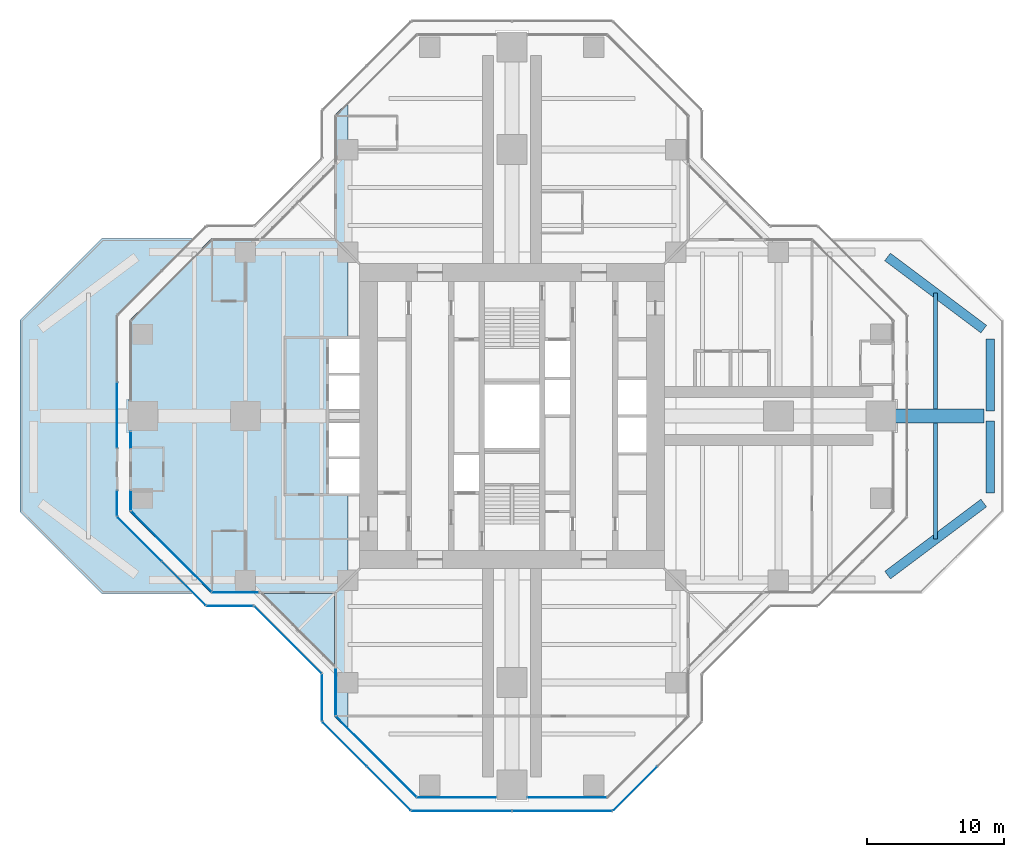
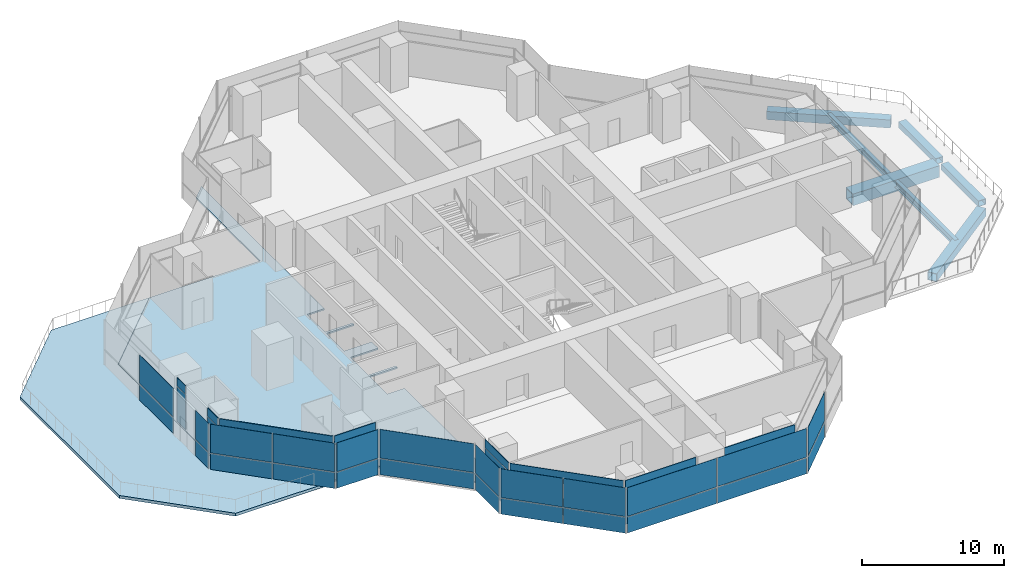
# One storey, part 11 of 19: 40 plates, 7 beams, 3 slabs, 17 elements without a shape of their own.
"""IFC4 building model written with IfcOpenShell, lengths in metres."""

from ifc_helpers import new_model, si_unit, direction, frame, origin, origin_2d, place, context, subcontext, project, spatial, polyline, rectangle, hollow_rectangle, i_section, outline, extrude, material, layer, layer_set, material_profile, profile_set, type_object, element, aggregate, save


model = new_model("IFC4")

# Units and contexts
model_context = context("Model", 3, precision=1e-05, world=origin(), true_north=direction((0.0, 1.0)))
body_context = subcontext(model_context, "Body", "Model", "MODEL_VIEW")
ifc_project = project(units=[si_unit("LENGTHUNIT", "METRE"), si_unit("AREAUNIT", "SQUARE_METRE"), si_unit("VOLUMEUNIT", "CUBIC_METRE"), si_unit("PLANEANGLEUNIT", "RADIAN"), si_unit("MASSUNIT", "GRAM", prefix="KILO")], contexts=[model_context])

# Site, building, storey
site_placement = place(None, origin())
site = spatial("IfcSite", under=ifc_project, at=site_placement, CompositionType="ELEMENT")
building_placement = place(site_placement, origin())
building = spatial("IfcBuilding", under=site, at=building_placement, Name="Mizan Broadcast Tower", CompositionType="ELEMENT")
storey_placement = place(building_placement, frame((0.0, 0.0, 204.89990234375)))
storey = spatial("IfcBuildingStorey", under=building, at=storey_placement, Name="L47", CompositionType="ELEMENT", Elevation=204.89990234375)

# Beams
ifc_material_1 = material(Name="Steel S355", Category="steel")
ifc_material_profile_1 = material_profile(ifc_material_1, hollow_rectangle(XDim=0.60009765625, YDim=0.5, WallThickness=0.030029296875, at=origin_2d()), Name="BOX 500x600x30")
ifc_profile_set_1 = profile_set([ifc_material_profile_1], Name="Steel S355")
beam_type_1 = type_object("IfcBeamType", Name="EDGE BEAM BOX 500x600x30", PredefinedType="SPANDREL", material=ifc_profile_set_1)
for number, where, z_axis, x_axis, name in (
    (1, (35.0, -5.639892578125, -0.5), (0.0, 1.0, 0.0), (-1.0, 0.0, 0.0), "Edge beam BOX 500x600x30 L47 east arm"),
    (2, (35.0, 5.639892578125, -0.5), (0.0, -1.0, 0.0), (1.0, 0.0, 0.0), "Edge beam BOX 500x600x30 L47 east arm"),
):
    element("IfcBeam", number, at=place(storey_placement, frame(where, z_axis=z_axis, x_axis=x_axis)), inside=storey, type_object=beam_type_1, Name=name, PredefinedType="SPANDREL", context=body_context, shape_type="SweptSolid", body=[
        extrude(hollow_rectangle(XDim=0.60009765625, YDim=0.5, WallThickness=0.030029296875, at=origin_2d()), origin(), (0.0, 0.0, 1.0), 5.27978515625),
    ])
ifc_material_2 = material(Name="Steel S355", Category="steel")
ifc_material_profile_2 = material_profile(ifc_material_2, hollow_rectangle(XDim=0.699951171875, YDim=0.699951171875, WallThickness=0.0400390625, at=origin_2d()), Name="BOX 700x700x40")
ifc_profile_set_2 = profile_set([ifc_material_profile_2], Name="Steel S355")
beam_type_2 = type_object("IfcBeamType", Name="EDGE BEAM BOX 700x700x40", PredefinedType="SPANDREL", material=ifc_profile_set_2)
for number, where, z_axis, x_axis, name in (
    (3, (27.47998046875, -11.639892578125, -0.599853515625), (0.800013316712, 0.599982243973, 0.0), (-0.599982243973, 0.800013316712, 0.0), "Edge beam BOX 700x700x40 L47 east arm"),
    (4, (27.47998046875, 11.639892578125, -0.599853515625), (0.800013316712, -0.599982243973, 0.0), (0.599982243973, 0.800013316712, 0.0), "Edge beam BOX 700x700x40 L47 east arm"),
):
    element("IfcBeam", number, at=place(storey_placement, frame(where, z_axis=z_axis, x_axis=x_axis)), inside=storey, type_object=beam_type_2, Name=name, PredefinedType="SPANDREL", context=body_context, shape_type="SweptSolid", body=[
        extrude(hollow_rectangle(XDim=0.699951171875, YDim=0.699951171875, WallThickness=0.0400390625, at=origin_2d()), origin(), (0.0, 0.0, 1.0), 8.7998046875),
    ])
ifc_material_3 = material(Name="Steel S460", Category="steel")
ifc_material_profile_3 = material_profile(ifc_material_3, hollow_rectangle(XDim=1.0, YDim=1.0, WallThickness=0.080078125, at=origin_2d()), Name="BOX 1000x1000x80")
ifc_profile_set_3 = profile_set([ifc_material_profile_3], Name="Steel S460")
beam_type_3 = type_object("IfcBeamType", Name="GIRDER BOX 1000x1000x80", PredefinedType="BEAM", material=ifc_profile_set_3)
beam_placement = place(storey_placement, frame((27.47998046875, 0.0, -0.75), z_axis=(1.0, 0.0, 0.0), x_axis=(0.0, 1.0, 0.0)))
element("IfcBeam", 5, at=beam_placement, inside=storey, type_object=beam_type_3, Name="Girder BOX 1000x1000x80 L47 east arm", PredefinedType="BEAM", context=body_context, shape_type="SweptSolid", body=[
    extrude(hollow_rectangle(XDim=1.0, YDim=1.0, WallThickness=0.080078125, at=origin_2d()), origin(), (0.0, 0.0, 1.0), 7.0400390625),
])
ifc_material_4 = material(Name="Steel S355", Category="steel")
ifc_material_profile_4 = material_profile(ifc_material_4, i_section(OverallWidth=0.300048828125, OverallDepth=0.590087890625, WebThickness=0.012939453125, FlangeThickness=0.02490234375, FilletRadius=0.027099609375, at=origin_2d()), Name="HEA 600")
ifc_profile_set_4 = profile_set([ifc_material_profile_4], Name="Steel S355")
beam_type_4 = type_object("IfcBeamType", Name="SECONDARY BEAM HEA 600", PredefinedType="JOIST", material=ifc_profile_set_4)
for number, where, z_axis, x_axis, name in (
    (6, (31.0, -9.0, -0.544921875), (0.0, 1.0, 0.0), (-1.0, 0.0, 0.0), "Secondary beam HEA 600 L47 east arm"),
    (7, (31.0, 9.0, -0.544921875), (0.0, -1.0, 0.0), (1.0, 0.0, 0.0), "Secondary beam HEA 600 L47 east arm"),
):
    element("IfcBeam", number, at=place(storey_placement, frame(where, z_axis=z_axis, x_axis=x_axis)), inside=storey, type_object=beam_type_4, Name=name, PredefinedType="JOIST", context=body_context, shape_type="SweptSolid", body=[
        extrude(i_section(OverallWidth=0.300048828125, OverallDepth=0.590087890625, WebThickness=0.012939453125, FlangeThickness=0.02490234375, FilletRadius=0.027099609375, at=origin_2d()), origin(), (0.0, 0.0, 1.0), 8.5),
    ])

# Slab
ifc_material_5 = material(Name="Concrete C32/40", Category="concrete")
ifc_layer_1 = layer(ifc_material_5, 0.1298828125)
ifc_layer_set_1 = layer_set([ifc_layer_1], Name="Concrete C32/40")
slab_type_1 = type_object("IfcSlabType", Name="COMPOSITE DECK SLAB 130", PredefinedType="FLOOR", material=ifc_layer_set_1)
slab_1_placement = place(storey_placement, frame((0.0, 0.0, -0.1298828125)))
element("IfcSlab", 8, at=slab_1_placement, inside=storey, type_object=slab_type_1, Name="Floor slab L47 west arm", PredefinedType="FLOOR", context=body_context, shape_type="SweptSolid", body=[
    extrude(outline(polyline([(-22.0, 13.0), (-28.0, 7.0), (-28.0, -7.0), (-22.0, -13.0), (-13.0, -13.0), (-13.0, -22.0), (-12.0, -23.0), (-12.0, -5.64990234375), (-13.39990234375, -5.64990234375), (-13.39990234375, -3.14990234375), (-11.14990234375, -3.14990234375), (-11.14990234375, -2.949951171875), (-13.39990234375, -2.949951171875), (-13.39990234375, -0.449951171875), (-11.14990234375, -0.449951171875), (-11.14990234375, 0.449951171875), (-13.39990234375, 0.449951171875), (-13.39990234375, 2.949951171875), (-11.14990234375, 2.949951171875), (-11.14990234375, 3.14990234375), (-13.39990234375, 3.14990234375), (-13.39990234375, 5.64990234375), (-12.0, 5.64990234375), (-12.0, 23.0), (-13.0, 22.0), (-13.0, 13.0), (-22.0, 13.0)])), origin(), (0.0, 0.0, 1.0), 0.1298828125),
])

# Curtain wall, plate
ifc_material_6 = material(Name="Aluminium framed glazing", Category="aluminium")
curtain_wall_type_1 = type_object("IfcCurtainWallType", Name="INNER SKIN HIGH ZONE", PredefinedType="USERDEFINED", material=ifc_material_6)
curtain_wall_1_placement = place(storey_placement, origin())
curtain_wall_1 = element("IfcCurtainWall", 9, at=curtain_wall_1_placement, inside=storey, type_object=curtain_wall_type_1, Name="Inner skin high zone L47 W end", ObjectType="INNER SKIN HIGH ZONE", PredefinedType="USERDEFINED")
ifc_material_7 = material(Name="Double glazing, clear low-e", Category="glass")
ifc_layer_2 = layer(ifc_material_7, 0.028076171875)
ifc_layer_set_2 = layer_set([ifc_layer_2], Name="Double glazing, clear low-e")
plate_type_1 = type_object("IfcPlateType", Name="INNER SKIN GLAZING UNIT", PredefinedType="CURTAIN_PANEL", material=ifc_layer_set_2)
plate_1_placement = place(storey_placement, frame((-27.89990234375, -1.75, 0.0), z_axis=(0.0, 0.0, 1.0), x_axis=(0.0, -1.0, 0.0)))
plate_1 = element("IfcPlate", 10, at=plate_1_placement, type_object=plate_type_1, Name="Inner skin high zone L47 W end panel 1.1", PredefinedType="CURTAIN_PANEL", context=body_context, shape_type="SweptSolid", body=[
    extrude(rectangle(XDim=1.179931640625, YDim=0.028076171875, at=origin_2d()), origin(), (0.0, 0.0, 1.0), 3.0),
])

curtain_wall_2_placement = place(storey_placement, origin())
curtain_wall_2 = element("IfcCurtainWall", 11, at=curtain_wall_2_placement, inside=storey, type_object=curtain_wall_type_1, Name="Inner skin high zone L47 W end", ObjectType="INNER SKIN HIGH ZONE", PredefinedType="USERDEFINED")
plate_2_placement = place(storey_placement, frame((-27.89990234375, -6.17919921875, 0.0), z_axis=(0.0, 0.0, 1.0), x_axis=(0.0, -1.0, 0.0)))
plate_2 = element("IfcPlate", 12, at=plate_2_placement, type_object=plate_type_1, Name="Inner skin high zone L47 W end panel 1.1", PredefinedType="CURTAIN_PANEL", context=body_context, shape_type="SweptSolid", body=[
    extrude(rectangle(XDim=1.4384765625, YDim=0.028076171875, at=origin_2d()), origin(), (0.0, 0.0, 1.0), 3.0),
])

curtain_wall_3_placement = place(storey_placement, origin())
curtain_wall_3 = element("IfcCurtainWall", 13, at=curtain_wall_3_placement, inside=storey, type_object=curtain_wall_type_1, Name="Inner skin high zone L47 W chamfer", ObjectType="INNER SKIN HIGH ZONE", PredefinedType="USERDEFINED")
plate_3_placement = place(storey_placement, frame((-24.92919921875, -9.92919921875, 0.0), z_axis=(0.0, 0.0, 1.0), x_axis=(0.707106781187, -0.707106781187, 0.0)))
plate_3 = element("IfcPlate", 14, at=plate_3_placement, type_object=plate_type_1, Name="Inner skin high zone L47 W chamfer panel 1.1", PredefinedType="CURTAIN_PANEL", context=body_context, shape_type="SweptSolid", body=[
    extrude(rectangle(XDim=8.282470703125, YDim=0.028076171875, at=origin_2d()), origin(), (0.0, 0.0, 1.0), 3.0),
])

curtain_wall_4_placement = place(storey_placement, origin())
curtain_wall_4 = element("IfcCurtainWall", 15, at=curtain_wall_4_placement, inside=storey, type_object=curtain_wall_type_1, Name="Inner skin high zone L47 W side", ObjectType="INNER SKIN HIGH ZONE", PredefinedType="USERDEFINED")
plate_4_placement = place(storey_placement, frame((-20.229248046875, -12.89990234375, 0.0), z_axis=(0.0, 0.0, 1.0), x_axis=(1.0, 0.0, 0.0)))
plate_4 = element("IfcPlate", 16, at=plate_4_placement, type_object=plate_type_1, Name="Inner skin high zone L47 W side panel 1.1", PredefinedType="CURTAIN_PANEL", context=body_context, shape_type="SweptSolid", body=[
    extrude(rectangle(XDim=3.338623046875, YDim=0.028076171875, at=origin_2d()), origin(), (0.0, 0.0, 1.0), 3.0),
])

curtain_wall_5_placement = place(storey_placement, origin())
curtain_wall_5 = element("IfcCurtainWall", 17, at=curtain_wall_5_placement, inside=storey, type_object=curtain_wall_type_1, Name="Inner skin high zone L47 S side", ObjectType="INNER SKIN HIGH ZONE", PredefinedType="USERDEFINED")
plate_5_placement = place(storey_placement, frame((-12.89990234375, -20.229248046875, 0.0), z_axis=(0.0, 0.0, 1.0), x_axis=(0.0, -1.0, 0.0)))
plate_5 = element("IfcPlate", 18, at=plate_5_placement, type_object=plate_type_1, Name="Inner skin high zone L47 S side panel 1.1", PredefinedType="CURTAIN_PANEL", context=body_context, shape_type="SweptSolid", body=[
    extrude(rectangle(XDim=3.338623046875, YDim=0.028076171875, at=origin_2d()), origin(), (0.0, 0.0, 1.0), 3.0),
])

curtain_wall_6_placement = place(storey_placement, origin())
curtain_wall_6 = element("IfcCurtainWall", 19, at=curtain_wall_6_placement, inside=storey, type_object=curtain_wall_type_1, Name="Inner skin high zone L47 S chamfer", ObjectType="INNER SKIN HIGH ZONE", PredefinedType="USERDEFINED")
plate_6_placement = place(storey_placement, frame((-9.92919921875, -24.92919921875, 0.0), z_axis=(0.0, 0.0, 1.0), x_axis=(0.707106781187, -0.707106781187, 0.0)))
plate_6 = element("IfcPlate", 20, at=plate_6_placement, type_object=plate_type_1, Name="Inner skin high zone L47 S chamfer panel 1.1", PredefinedType="CURTAIN_PANEL", context=body_context, shape_type="SweptSolid", body=[
    extrude(rectangle(XDim=8.282470703125, YDim=0.028076171875, at=origin_2d()), origin(), (0.0, 0.0, 1.0), 3.0),
])

curtain_wall_7_placement = place(storey_placement, origin())
curtain_wall_7 = element("IfcCurtainWall", 21, at=curtain_wall_7_placement, inside=storey, type_object=curtain_wall_type_1, Name="Inner skin high zone L47 S end", ObjectType="INNER SKIN HIGH ZONE", PredefinedType="USERDEFINED")
plate_7_placement = place(storey_placement, frame((-4.029296875, -27.89990234375, 0.0), z_axis=(0.0, 0.0, 1.0), x_axis=(1.0, 0.0, 0.0)))
plate_7 = element("IfcPlate", 22, at=plate_7_placement, type_object=plate_type_1, Name="Inner skin high zone L47 S end panel 1.1", PredefinedType="CURTAIN_PANEL", context=body_context, shape_type="SweptSolid", body=[
    extrude(rectangle(XDim=5.738525390625, YDim=0.028076171875, at=origin_2d()), origin(), (0.0, 0.0, 1.0), 3.0),
])

curtain_wall_8_placement = place(storey_placement, origin())
curtain_wall_8 = element("IfcCurtainWall", 23, at=curtain_wall_8_placement, inside=storey, type_object=curtain_wall_type_1, Name="Inner skin high zone L47 S end", ObjectType="INNER SKIN HIGH ZONE", PredefinedType="USERDEFINED")
plate_8_placement = place(storey_placement, frame((4.029296875, -27.89990234375, 0.0), z_axis=(0.0, 0.0, 1.0), x_axis=(1.0, 0.0, 0.0)))
plate_8 = element("IfcPlate", 24, at=plate_8_placement, type_object=plate_type_1, Name="Inner skin high zone L47 S end panel 1.1", PredefinedType="CURTAIN_PANEL", context=body_context, shape_type="SweptSolid", body=[
    extrude(rectangle(XDim=5.738525390625, YDim=0.028076171875, at=origin_2d()), origin(), (0.0, 0.0, 1.0), 3.0),
])

# Plate
ifc_material_8 = material(Name="Insulated aluminium spandrel panel, pale anodised", Category="aluminium")
ifc_layer_3 = layer(ifc_material_8, 0.050048828125)
ifc_layer_set_3 = layer_set([ifc_layer_3], Name="Insulated aluminium spandrel panel, pale anodised")
plate_type_2 = type_object("IfcPlateType", Name="INNER SKIN SPANDREL PANEL", PredefinedType="CURTAIN_PANEL", material=ifc_layer_set_3)
plate_9_placement = place(storey_placement, frame((-27.89990234375, -1.75, 3.06005859375), z_axis=(0.0, 0.0, 1.0), x_axis=(0.0, -1.0, 0.0)))
plate_9 = element("IfcPlate", 25, at=plate_9_placement, type_object=plate_type_2, Name="Inner skin high zone L47 W end panel 1.2", PredefinedType="CURTAIN_PANEL", context=body_context, shape_type="SweptSolid", body=[
    extrude(rectangle(XDim=1.179931640625, YDim=0.050048828125, at=origin_2d()), origin(), (0.0, 0.0, 1.0), 0.7099609375),
])

aggregate(curtain_wall_1, [plate_1, plate_9])

plate_10_placement = place(storey_placement, frame((-27.89990234375, -6.17919921875, 3.06005859375), z_axis=(0.0, 0.0, 1.0), x_axis=(0.0, -1.0, 0.0)))
plate_10 = element("IfcPlate", 26, at=plate_10_placement, type_object=plate_type_2, Name="Inner skin high zone L47 W end panel 1.2", PredefinedType="CURTAIN_PANEL", context=body_context, shape_type="SweptSolid", body=[
    extrude(rectangle(XDim=1.4384765625, YDim=0.050048828125, at=origin_2d()), origin(), (0.0, 0.0, 1.0), 0.7099609375),
])

aggregate(curtain_wall_2, [plate_2, plate_10])

plate_11_placement = place(storey_placement, frame((-24.92919921875, -9.92919921875, 3.06005859375), z_axis=(0.0, 0.0, 1.0), x_axis=(0.707106781187, -0.707106781187, 0.0)))
plate_11 = element("IfcPlate", 27, at=plate_11_placement, type_object=plate_type_2, Name="Inner skin high zone L47 W chamfer panel 1.2", PredefinedType="CURTAIN_PANEL", context=body_context, shape_type="SweptSolid", body=[
    extrude(rectangle(XDim=8.282470703125, YDim=0.050048828125, at=origin_2d()), origin(), (0.0, 0.0, 1.0), 0.7099609375),
])

aggregate(curtain_wall_3, [plate_3, plate_11])

plate_12_placement = place(storey_placement, frame((-20.229248046875, -12.89990234375, 3.06005859375), z_axis=(0.0, 0.0, 1.0), x_axis=(1.0, 0.0, 0.0)))
plate_12 = element("IfcPlate", 28, at=plate_12_placement, type_object=plate_type_2, Name="Inner skin high zone L47 W side panel 1.2", PredefinedType="CURTAIN_PANEL", context=body_context, shape_type="SweptSolid", body=[
    extrude(rectangle(XDim=3.338623046875, YDim=0.050048828125, at=origin_2d()), origin(), (0.0, 0.0, 1.0), 0.7099609375),
])

aggregate(curtain_wall_4, [plate_4, plate_12])

plate_13_placement = place(storey_placement, frame((-12.89990234375, -20.229248046875, 3.06005859375), z_axis=(0.0, 0.0, 1.0), x_axis=(0.0, -1.0, 0.0)))
plate_13 = element("IfcPlate", 29, at=plate_13_placement, type_object=plate_type_2, Name="Inner skin high zone L47 S side panel 1.2", PredefinedType="CURTAIN_PANEL", context=body_context, shape_type="SweptSolid", body=[
    extrude(rectangle(XDim=3.338623046875, YDim=0.050048828125, at=origin_2d()), origin(), (0.0, 0.0, 1.0), 0.7099609375),
])

aggregate(curtain_wall_5, [plate_5, plate_13])

plate_14_placement = place(storey_placement, frame((-9.92919921875, -24.92919921875, 3.06005859375), z_axis=(0.0, 0.0, 1.0), x_axis=(0.707106781187, -0.707106781187, 0.0)))
plate_14 = element("IfcPlate", 30, at=plate_14_placement, type_object=plate_type_2, Name="Inner skin high zone L47 S chamfer panel 1.2", PredefinedType="CURTAIN_PANEL", context=body_context, shape_type="SweptSolid", body=[
    extrude(rectangle(XDim=8.282470703125, YDim=0.050048828125, at=origin_2d()), origin(), (0.0, 0.0, 1.0), 0.7099609375),
])

aggregate(curtain_wall_6, [plate_6, plate_14])

plate_15_placement = place(storey_placement, frame((-4.029296875, -27.89990234375, 3.06005859375), z_axis=(0.0, 0.0, 1.0), x_axis=(1.0, 0.0, 0.0)))
plate_15 = element("IfcPlate", 31, at=plate_15_placement, type_object=plate_type_2, Name="Inner skin high zone L47 S end panel 1.2", PredefinedType="CURTAIN_PANEL", context=body_context, shape_type="SweptSolid", body=[
    extrude(rectangle(XDim=5.738525390625, YDim=0.050048828125, at=origin_2d()), origin(), (0.0, 0.0, 1.0), 0.7099609375),
])

aggregate(curtain_wall_7, [plate_7, plate_15])

plate_16_placement = place(storey_placement, frame((4.029296875, -27.89990234375, 3.06005859375), z_axis=(0.0, 0.0, 1.0), x_axis=(1.0, 0.0, 0.0)))
plate_16 = element("IfcPlate", 32, at=plate_16_placement, type_object=plate_type_2, Name="Inner skin high zone L47 S end panel 1.2", PredefinedType="CURTAIN_PANEL", context=body_context, shape_type="SweptSolid", body=[
    extrude(rectangle(XDim=5.738525390625, YDim=0.050048828125, at=origin_2d()), origin(), (0.0, 0.0, 1.0), 0.7099609375),
])

aggregate(curtain_wall_8, [plate_8, plate_16])

# Curtain wall, plates
ifc_material_9 = material(Name="Aluminium framed glazing", Category="aluminium")
curtain_wall_type_2 = type_object("IfcCurtainWallType", Name="OUTER SKIN", PredefinedType="USERDEFINED", material=ifc_material_9)
curtain_wall_9_placement = place(storey_placement, origin())
curtain_wall_9 = element("IfcCurtainWall", 33, at=curtain_wall_9_placement, inside=storey, type_object=curtain_wall_type_2, Name="Outer skin L47 W end", ObjectType="OUTER SKIN", PredefinedType="USERDEFINED")
ifc_material_10 = material(Name="Laminated clear glass", Category="glass")
ifc_layer_4 = layer(ifc_material_10, 0.02001953125)
ifc_layer_set_4 = layer_set([ifc_layer_4], Name="Laminated clear glass")
plate_type_3 = type_object("IfcPlateType", Name="OUTER SKIN CLEAR GLASS", PredefinedType="CURTAIN_PANEL", material=ifc_layer_set_4)
plate_17_placement = place(storey_placement, frame((-28.89990234375, -6.386474609375, 0.0), z_axis=(0.0, 0.0, 1.0), x_axis=(0.0, -1.0, 0.0)))
plate_17 = element("IfcPlate", 34, at=plate_17_placement, type_object=plate_type_3, Name="Outer skin L47 W end panel 1.1", PredefinedType="CURTAIN_PANEL", context=body_context, shape_type="SweptSolid", body=[
    extrude(rectangle(XDim=1.812744140625, YDim=0.02001953125, at=origin_2d()), origin(), (0.0, 0.0, 1.0), 1.3701171875),
])
plate_18_placement = place(storey_placement, frame((-28.89990234375, -6.386474609375, 1.43017578125), z_axis=(0.0, 0.0, 1.0), x_axis=(0.0, -1.0, 0.0)))
plate_18 = element("IfcPlate", 35, at=plate_18_placement, type_object=plate_type_3, Name="Outer skin L47 W end panel 1.2", PredefinedType="CURTAIN_PANEL", context=body_context, shape_type="SweptSolid", body=[
    extrude(rectangle(XDim=1.812744140625, YDim=0.02001953125, at=origin_2d()), origin(), (0.0, 0.0, 1.0), 2.469970703125),
])
aggregate(curtain_wall_9, [plate_17, plate_18])

curtain_wall_10_placement = place(storey_placement, origin())
curtain_wall_10 = element("IfcCurtainWall", 36, at=curtain_wall_10_placement, inside=storey, type_object=curtain_wall_type_2, Name="Outer skin L47 W chamfer", ObjectType="OUTER SKIN", PredefinedType="USERDEFINED")
plate_19_placement = place(storey_placement, frame((-27.254150390625, -9.018798828125, 0.0), z_axis=(0.0, 0.0, 1.0), x_axis=(0.707106781187, -0.707106781187, 0.0)))
plate_19 = element("IfcPlate", 37, at=plate_19_placement, type_object=plate_type_3, Name="Outer skin L47 W chamfer panel 1.1", PredefinedType="CURTAIN_PANEL", context=body_context, shape_type="SweptSolid", body=[
    extrude(rectangle(XDim=4.495361328125, YDim=0.02001953125, at=origin_2d()), origin(), (0.0, 0.0, 1.0), 1.3701171875),
])
plate_20_placement = place(storey_placement, frame((-27.254150390625, -9.018798828125, 1.43017578125), z_axis=(0.0, 0.0, 1.0), x_axis=(0.707106781187, -0.707106781187, 0.0)))
plate_20 = element("IfcPlate", 38, at=plate_20_placement, type_object=plate_type_3, Name="Outer skin L47 W chamfer panel 1.2", PredefinedType="CURTAIN_PANEL", context=body_context, shape_type="SweptSolid", body=[
    extrude(rectangle(XDim=4.495361328125, YDim=0.02001953125, at=origin_2d()), origin(), (0.0, 0.0, 1.0), 2.469970703125),
])

curtain_wall_11_placement = place(storey_placement, origin())
curtain_wall_11 = element("IfcCurtainWall", 39, at=curtain_wall_11_placement, inside=storey, type_object=curtain_wall_type_2, Name="Outer skin L47 W side", ObjectType="OUTER SKIN", PredefinedType="USERDEFINED")
plate_21_placement = place(storey_placement, frame((-20.622802734375, -13.89990234375, 0.0), z_axis=(0.0, 0.0, 1.0), x_axis=(1.0, 0.0, 0.0)))
plate_21 = element("IfcPlate", 40, at=plate_21_placement, type_object=plate_type_3, Name="Outer skin L47 W side panel 1.1", PredefinedType="CURTAIN_PANEL", context=body_context, shape_type="SweptSolid", body=[
    extrude(rectangle(XDim=3.340087890625, YDim=0.02001953125, at=origin_2d()), origin(), (0.0, 0.0, 1.0), 1.3701171875),
])
plate_22_placement = place(storey_placement, frame((-20.622802734375, -13.89990234375, 1.43017578125), z_axis=(0.0, 0.0, 1.0), x_axis=(1.0, 0.0, 0.0)))
plate_22 = element("IfcPlate", 41, at=plate_22_placement, type_object=plate_type_3, Name="Outer skin L47 W side panel 1.2", PredefinedType="CURTAIN_PANEL", context=body_context, shape_type="SweptSolid", body=[
    extrude(rectangle(XDim=3.340087890625, YDim=0.02001953125, at=origin_2d()), origin(), (0.0, 0.0, 1.0), 2.469970703125),
])
aggregate(curtain_wall_11, [plate_21, plate_22])

curtain_wall_12_placement = place(storey_placement, origin())
curtain_wall_12 = element("IfcCurtainWall", 42, at=curtain_wall_12_placement, inside=storey, type_object=curtain_wall_type_2, Name="Outer skin L47 W chamfer", ObjectType="OUTER SKIN", PredefinedType="USERDEFINED")
plate_23_placement = place(storey_placement, frame((-16.386474609375, -16.386474609375, 0.0), z_axis=(0.0, 0.0, 1.0), x_axis=(0.707106781187, -0.707106781187, 0.0)))
plate_23 = element("IfcPlate", 43, at=plate_23_placement, type_object=plate_type_3, Name="Outer skin L47 W chamfer panel 1.1", PredefinedType="CURTAIN_PANEL", context=body_context, shape_type="SweptSolid", body=[
    extrude(rectangle(XDim=6.87255859375, YDim=0.02001953125, at=origin_2d()), origin(), (0.0, 0.0, 1.0), 1.3701171875),
])
plate_24_placement = place(storey_placement, frame((-16.386474609375, -16.386474609375, 1.43017578125), z_axis=(0.0, 0.0, 1.0), x_axis=(0.707106781187, -0.707106781187, 0.0)))
plate_24 = element("IfcPlate", 44, at=plate_24_placement, type_object=plate_type_3, Name="Outer skin L47 W chamfer panel 1.2", PredefinedType="CURTAIN_PANEL", context=body_context, shape_type="SweptSolid", body=[
    extrude(rectangle(XDim=6.87255859375, YDim=0.02001953125, at=origin_2d()), origin(), (0.0, 0.0, 1.0), 2.469970703125),
])
aggregate(curtain_wall_12, [plate_23, plate_24])

curtain_wall_13_placement = place(storey_placement, origin())
curtain_wall_13 = element("IfcCurtainWall", 45, at=curtain_wall_13_placement, inside=storey, type_object=curtain_wall_type_2, Name="Outer skin L47 S side", ObjectType="OUTER SKIN", PredefinedType="USERDEFINED")
plate_25_placement = place(storey_placement, frame((-13.89990234375, -20.622802734375, 0.0), z_axis=(0.0, 0.0, 1.0), x_axis=(0.0, -1.0, 0.0)))
plate_25 = element("IfcPlate", 46, at=plate_25_placement, type_object=plate_type_3, Name="Outer skin L47 S side panel 1.1", PredefinedType="CURTAIN_PANEL", context=body_context, shape_type="SweptSolid", body=[
    extrude(rectangle(XDim=3.340087890625, YDim=0.02001953125, at=origin_2d()), origin(), (0.0, 0.0, 1.0), 1.3701171875),
])
plate_26_placement = place(storey_placement, frame((-13.89990234375, -20.622802734375, 1.43017578125), z_axis=(0.0, 0.0, 1.0), x_axis=(0.0, -1.0, 0.0)))
plate_26 = element("IfcPlate", 47, at=plate_26_placement, type_object=plate_type_3, Name="Outer skin L47 S side panel 1.2", PredefinedType="CURTAIN_PANEL", context=body_context, shape_type="SweptSolid", body=[
    extrude(rectangle(XDim=3.340087890625, YDim=0.02001953125, at=origin_2d()), origin(), (0.0, 0.0, 1.0), 2.469970703125),
])
aggregate(curtain_wall_13, [plate_25, plate_26])

curtain_wall_14_placement = place(storey_placement, origin())
curtain_wall_14 = element("IfcCurtainWall", 48, at=curtain_wall_14_placement, inside=storey, type_object=curtain_wall_type_2, Name="Outer skin L47 S chamfer", ObjectType="OUTER SKIN", PredefinedType="USERDEFINED")
plate_27_placement = place(storey_placement, frame((-12.254150390625, -24.018798828125, 0.0), z_axis=(0.0, 0.0, 1.0), x_axis=(0.707106781187, -0.707106781187, 0.0)))
plate_27 = element("IfcPlate", 49, at=plate_27_placement, type_object=plate_type_3, Name="Outer skin L47 S chamfer panel 1.1", PredefinedType="CURTAIN_PANEL", context=body_context, shape_type="SweptSolid", body=[
    extrude(rectangle(XDim=4.495361328125, YDim=0.02001953125, at=origin_2d()), origin(), (0.0, 0.0, 1.0), 1.3701171875),
])
plate_28_placement = place(storey_placement, frame((-12.254150390625, -24.018798828125, 1.43017578125), z_axis=(0.0, 0.0, 1.0), x_axis=(0.707106781187, -0.707106781187, 0.0)))
plate_28 = element("IfcPlate", 50, at=plate_28_placement, type_object=plate_type_3, Name="Outer skin L47 S chamfer panel 1.2", PredefinedType="CURTAIN_PANEL", context=body_context, shape_type="SweptSolid", body=[
    extrude(rectangle(XDim=4.495361328125, YDim=0.02001953125, at=origin_2d()), origin(), (0.0, 0.0, 1.0), 2.469970703125),
])

curtain_wall_15_placement = place(storey_placement, origin())
curtain_wall_15 = element("IfcCurtainWall", 51, at=curtain_wall_15_placement, inside=storey, type_object=curtain_wall_type_2, Name="Outer skin L47 S end", ObjectType="OUTER SKIN", PredefinedType="USERDEFINED")
plate_29_placement = place(storey_placement, frame((-3.66650390625, -28.89990234375, 0.0), z_axis=(0.0, 0.0, 1.0), x_axis=(1.0, 0.0, 0.0)))
plate_29 = element("IfcPlate", 52, at=plate_29_placement, type_object=plate_type_3, Name="Outer skin L47 S end panel 1.1", PredefinedType="CURTAIN_PANEL", context=body_context, shape_type="SweptSolid", body=[
    extrude(rectangle(XDim=7.252685546875, YDim=0.02001953125, at=origin_2d()), origin(), (0.0, 0.0, 1.0), 1.3701171875),
])
plate_30_placement = place(storey_placement, frame((-3.66650390625, -28.89990234375, 1.43017578125), z_axis=(0.0, 0.0, 1.0), x_axis=(1.0, 0.0, 0.0)))
plate_30 = element("IfcPlate", 53, at=plate_30_placement, type_object=plate_type_3, Name="Outer skin L47 S end panel 1.2", PredefinedType="CURTAIN_PANEL", context=body_context, shape_type="SweptSolid", body=[
    extrude(rectangle(XDim=7.252685546875, YDim=0.02001953125, at=origin_2d()), origin(), (0.0, 0.0, 1.0), 2.469970703125),
])

curtain_wall_16_placement = place(storey_placement, origin())
curtain_wall_16 = element("IfcCurtainWall", 54, at=curtain_wall_16_placement, inside=storey, type_object=curtain_wall_type_2, Name="Outer skin L47 S chamfer", ObjectType="OUTER SKIN", PredefinedType="USERDEFINED")
plate_31_placement = place(storey_placement, frame((9.018798828125, -27.254150390625, 0.0), z_axis=(0.0, 0.0, 1.0), x_axis=(0.707106781187, 0.707106781187, 0.0)))
plate_31 = element("IfcPlate", 55, at=plate_31_placement, type_object=plate_type_3, Name="Outer skin L47 S chamfer panel 1.1", PredefinedType="CURTAIN_PANEL", context=body_context, shape_type="SweptSolid", body=[
    extrude(rectangle(XDim=4.495361328125, YDim=0.02001953125, at=origin_2d()), origin(), (0.0, 0.0, 1.0), 1.3701171875),
])
plate_32_placement = place(storey_placement, frame((9.018798828125, -27.254150390625, 1.43017578125), z_axis=(0.0, 0.0, 1.0), x_axis=(0.707106781187, 0.707106781187, 0.0)))
plate_32 = element("IfcPlate", 56, at=plate_32_placement, type_object=plate_type_3, Name="Outer skin L47 S chamfer panel 1.2", PredefinedType="CURTAIN_PANEL", context=body_context, shape_type="SweptSolid", body=[
    extrude(rectangle(XDim=4.495361328125, YDim=0.02001953125, at=origin_2d()), origin(), (0.0, 0.0, 1.0), 2.469970703125),
])
aggregate(curtain_wall_16, [plate_31, plate_32])

curtain_wall_17_placement = place(storey_placement, origin())
curtain_wall_17 = element("IfcCurtainWall", 57, at=curtain_wall_17_placement, inside=storey, type_object=curtain_wall_type_2, Name="Outer skin L47 W end", ObjectType="OUTER SKIN", PredefinedType="USERDEFINED")
ifc_material_11 = material(Name="Perforated aluminium, pale anodised", Category="aluminium")
ifc_layer_5 = layer(ifc_material_11, 0.011962890625)
ifc_layer_set_5 = layer_set([ifc_layer_5], Name="Perforated aluminium, pale anodised")
plate_type_4 = type_object("IfcPlateType", Name="OUTER SKIN PERFORATED SCREEN", PredefinedType="USERDEFINED", material=ifc_layer_set_5)
plate_33_placement = place(storey_placement, frame((-28.89990234375, 0.063232421875, 0.0), z_axis=(0.0, 0.0, 1.0), x_axis=(0.0, -1.0, 0.0)))
plate_33 = element("IfcPlate", 58, at=plate_33_placement, type_object=plate_type_4, Name="Outer skin L47 W end panel 2.1", ObjectType="SCREEN", PredefinedType="USERDEFINED", context=body_context, shape_type="SweptSolid", body=[
    extrude(rectangle(XDim=4.766357421875, YDim=0.011962890625, at=origin_2d()), origin(), (0.0, 0.0, 1.0), 1.3701171875),
])
plate_34_placement = place(storey_placement, frame((-28.89990234375, 0.063232421875, 1.43017578125), z_axis=(0.0, 0.0, 1.0), x_axis=(0.0, -1.0, 0.0)))
plate_34 = element("IfcPlate", 59, at=plate_34_placement, type_object=plate_type_4, Name="Outer skin L47 W end panel 2.2", ObjectType="SCREEN", PredefinedType="USERDEFINED", context=body_context, shape_type="SweptSolid", body=[
    extrude(rectangle(XDim=4.766357421875, YDim=0.011962890625, at=origin_2d()), origin(), (0.0, 0.0, 1.0), 2.469970703125),
])
aggregate(curtain_wall_17, [plate_33, plate_34])

# Plate
plate_35_placement = place(storey_placement, frame((-24.018798828125, -12.254150390625, 0.0), z_axis=(0.0, 0.0, 1.0), x_axis=(0.707106781187, -0.707106781187, 0.0)))
plate_35 = element("IfcPlate", 60, at=plate_35_placement, type_object=plate_type_4, Name="Outer skin L47 W chamfer panel 2.1", ObjectType="SCREEN", PredefinedType="USERDEFINED", context=body_context, shape_type="SweptSolid", body=[
    extrude(rectangle(XDim=4.495361328125, YDim=0.011962890625, at=origin_2d()), origin(), (0.0, 0.0, 1.0), 1.3701171875),
])

plate_36_placement = place(storey_placement, frame((-24.018798828125, -12.254150390625, 1.43017578125), z_axis=(0.0, 0.0, 1.0), x_axis=(0.707106781187, -0.707106781187, 0.0)))
plate_36 = element("IfcPlate", 61, at=plate_36_placement, type_object=plate_type_4, Name="Outer skin L47 W chamfer panel 2.2", ObjectType="SCREEN", PredefinedType="USERDEFINED", context=body_context, shape_type="SweptSolid", body=[
    extrude(rectangle(XDim=4.495361328125, YDim=0.011962890625, at=origin_2d()), origin(), (0.0, 0.0, 1.0), 2.469970703125),
])

aggregate(curtain_wall_10, [plate_19, plate_20, plate_35, plate_36])

plate_37_placement = place(storey_placement, frame((-9.018798828125, -27.254150390625, 0.0), z_axis=(0.0, 0.0, 1.0), x_axis=(0.707106781187, -0.707106781187, 0.0)))
plate_37 = element("IfcPlate", 62, at=plate_37_placement, type_object=plate_type_4, Name="Outer skin L47 S chamfer panel 2.1", ObjectType="SCREEN", PredefinedType="USERDEFINED", context=body_context, shape_type="SweptSolid", body=[
    extrude(rectangle(XDim=4.495361328125, YDim=0.011962890625, at=origin_2d()), origin(), (0.0, 0.0, 1.0), 1.3701171875),
])

plate_38_placement = place(storey_placement, frame((-9.018798828125, -27.254150390625, 1.43017578125), z_axis=(0.0, 0.0, 1.0), x_axis=(0.707106781187, -0.707106781187, 0.0)))
plate_38 = element("IfcPlate", 63, at=plate_38_placement, type_object=plate_type_4, Name="Outer skin L47 S chamfer panel 2.2", ObjectType="SCREEN", PredefinedType="USERDEFINED", context=body_context, shape_type="SweptSolid", body=[
    extrude(rectangle(XDim=4.495361328125, YDim=0.011962890625, at=origin_2d()), origin(), (0.0, 0.0, 1.0), 2.469970703125),
])

aggregate(curtain_wall_14, [plate_27, plate_28, plate_37, plate_38])

plate_39_placement = place(storey_placement, frame((3.66650390625, -28.89990234375, 0.0), z_axis=(0.0, 0.0, 1.0), x_axis=(1.0, 0.0, 0.0)))
plate_39 = element("IfcPlate", 64, at=plate_39_placement, type_object=plate_type_4, Name="Outer skin L47 S end panel 2.1", ObjectType="SCREEN", PredefinedType="USERDEFINED", context=body_context, shape_type="SweptSolid", body=[
    extrude(rectangle(XDim=7.252685546875, YDim=0.011962890625, at=origin_2d()), origin(), (0.0, 0.0, 1.0), 1.3701171875),
])

plate_40_placement = place(storey_placement, frame((3.66650390625, -28.89990234375, 1.43017578125), z_axis=(0.0, 0.0, 1.0), x_axis=(1.0, 0.0, 0.0)))
plate_40 = element("IfcPlate", 65, at=plate_40_placement, type_object=plate_type_4, Name="Outer skin L47 S end panel 2.2", ObjectType="SCREEN", PredefinedType="USERDEFINED", context=body_context, shape_type="SweptSolid", body=[
    extrude(rectangle(XDim=7.252685546875, YDim=0.011962890625, at=origin_2d()), origin(), (0.0, 0.0, 1.0), 2.469970703125),
])

aggregate(curtain_wall_15, [plate_29, plate_30, plate_39, plate_40])

# Slabs
ifc_material_12 = material(Name="Concrete C32/40", Category="concrete")
ifc_layer_6 = layer(ifc_material_12, 0.25)
ifc_layer_set_6 = layer_set([ifc_layer_6], Name="Concrete C32/40")
slab_type_2 = type_object("IfcSlabType", Name="ROOF SLAB ON DECK 250", PredefinedType="ROOF", material=ifc_layer_set_6)
slab_2_placement = place(storey_placement, frame((0.0, 0.0, -0.25)))
element("IfcSlab", 66, at=slab_2_placement, inside=storey, type_object=slab_type_2, Name="Maintenance roof slab L47 part 2", PredefinedType="ROOF", context=body_context, shape_type="SweptSolid", body=[
    extrude(outline(polyline([(-30.0, -13.0), (-22.01416015625, -13.0), (-28.010009765625, -7.004150390625), (-28.010009765625, 7.004150390625), (-22.01416015625, 13.0), (-30.0, 13.0), (-36.0, 7.0), (-36.0, -7.0), (-30.0, -13.0)])), origin(), (0.0, 0.0, 1.0), 0.25),
])
ifc_material_13 = material(Name="Concrete C32/40", Category="concrete")
ifc_layer_7 = layer(ifc_material_13, 0.1298828125)
ifc_layer_set_7 = layer_set([ifc_layer_7], Name="Concrete C32/40")
slab_type_3 = type_object("IfcSlabType", Name="WINTER GARDEN SLAB 130", PredefinedType="FLOOR", material=ifc_layer_set_7)
slab_3_placement = place(storey_placement, frame((0.0, 0.0, -0.1298828125)))
element("IfcSlab", 67, at=slab_3_placement, inside=storey, type_object=slab_type_3, Name="Winter garden slab L47 W", PredefinedType="FLOOR", context=body_context, shape_type="SweptSolid", body=[
    extrude(outline(polyline([(-13.0, -13.0), (-18.5, -13.0), (-13.0, -18.5), (-13.0, -13.0)])), origin(), (0.0, 0.0, 1.0), 0.1298828125),
])

save(model, "model.ifc")
